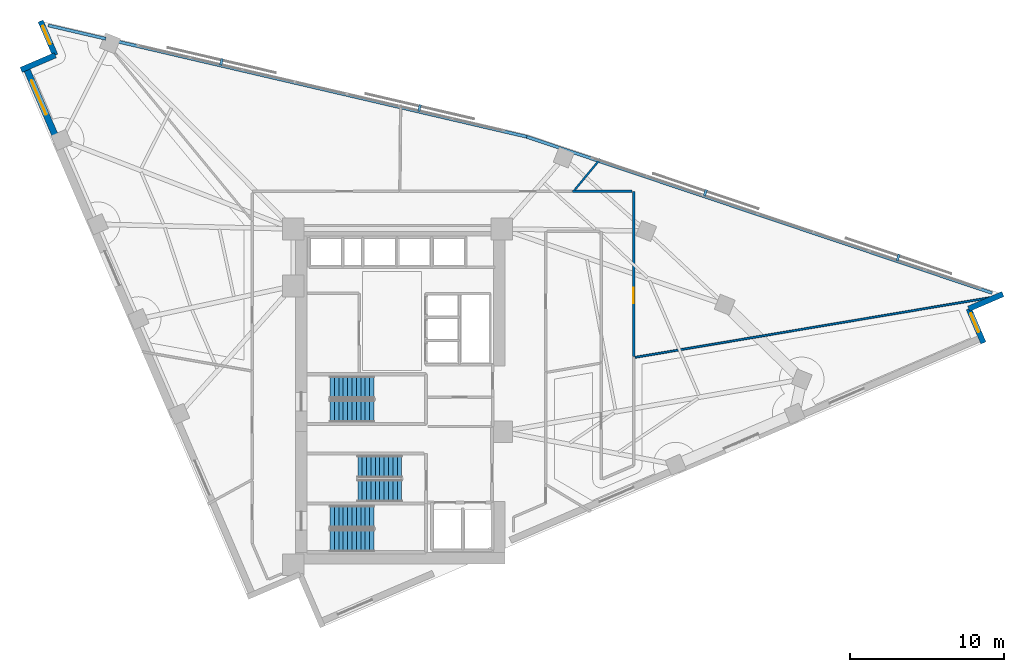
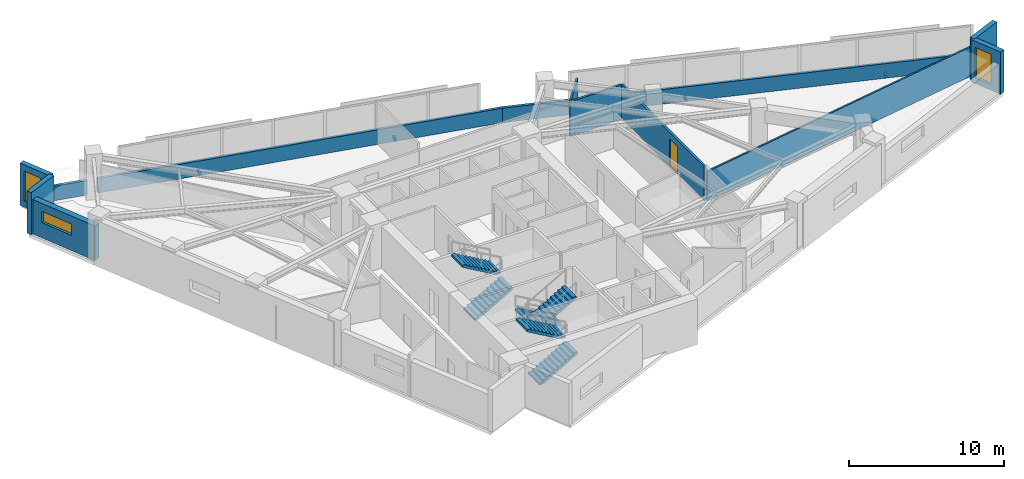
# One storey, part 12 of 14: 12 walls, 6 stair flights, 4 discrete accessories, 3 windows, 1 door, 4 openings, 3 elements without a shape of their own.
"""IFC4 building model written with IfcOpenShell, lengths in metres."""

from ifc_helpers import new_model, si_unit, direction, frame, frame_2d, origin, origin_2d, place, context, subcontext, project, spatial, polyline, rectangle, outline, extrude, material, layer, layer_set, type_object, element, fill, aggregate, save


model = new_model("IFC4")

# Units and contexts
model_context = context("Model", 3, precision=1e-05, world=origin(), true_north=direction((0.0, 1.0)))
body_context = subcontext(model_context, "Body", "Model", "MODEL_VIEW")
ifc_project = project(units=[si_unit("LENGTHUNIT", "METRE"), si_unit("AREAUNIT", "SQUARE_METRE"), si_unit("VOLUMEUNIT", "CUBIC_METRE"), si_unit("PLANEANGLEUNIT", "RADIAN"), si_unit("MASSUNIT", "GRAM", prefix="KILO")], contexts=[model_context])

# Site, building, storey
site_placement = place(None, origin())
site = spatial("IfcSite", under=ifc_project, at=site_placement, CompositionType="ELEMENT")
building_placement = place(site_placement, origin())
building = spatial("IfcBuilding", under=site, at=building_placement, Name="Narakoshi Arena Tower", CompositionType="ELEMENT")
storey_placement = place(building_placement, frame((0.0, 0.0, 168.300048828125)))
storey = spatial("IfcBuildingStorey", under=building, at=storey_placement, Name="L45", CompositionType="ELEMENT", Elevation=168.300048828125)

# Wall, opening, door
ifc_material_1 = material(Name="Gypsum plasterboard fire-rated partition")
ifc_layer_1 = layer(ifc_material_1, 0.1650390625)
ifc_layer_set_1 = layer_set([ifc_layer_1], Name="Gypsum plasterboard fire-rated partition")
wall_type_1 = type_object("IfcWallType", Name="WL-CORR-165", PredefinedType="PARTITIONING", material=ifc_layer_set_1)
wall_1_placement = place(storey_placement, frame((94.09619140625, 48.213134765625, 0.0), z_axis=(0.0, 0.0, 1.0), x_axis=(0.0, 1.0, 0.0)))
wall_1 = element("IfcWall", 1, at=wall_1_placement, inside=storey, type_object=wall_type_1, Name="L45 Corridor Partition 05-1", PredefinedType="PARTITIONING", context=body_context, shape_type="SweptSolid", body=[
    extrude(rectangle(XDim=10.723876953125, YDim=0.1650390625, at=frame_2d((5.36181640625, 0.0))), origin(), (0.0, 0.0, 1.0), 2.724853515625),
])
opening_1_placement = place(wall_1_placement, frame((3.46337890625, 0.0, 0.0)))
opening_1 = element("IfcOpeningElement", 2, at=opening_1_placement, cuts=wall_1, Name="Opening D-06", PredefinedType="OPENING", context=body_context, shape_type="SweptSolid", body=[
    extrude(rectangle(XDim=1.0, YDim=2.199951171875, at=frame_2d((0.5, 1.10009765625))), frame((0.0, 0.092529296875, 0.0), z_axis=(0.0, -1.0, 0.0), x_axis=(1.0, 0.0, 0.0)), (0.0, 0.0, 1.0), 0.18505859375),
])
ifc_material_2 = material(Name="Stained oak solid-core timber", Category="wood")
door_type = type_object("IfcDoorType", Name="DR-OFF-1000", OperationType="NOTDEFINED", PredefinedType="DOOR", material=ifc_material_2)
door_placement = place(opening_1_placement, frame((1.0, 0.0, 0.0), z_axis=(0.0, 0.0, 1.0), x_axis=(-1.0, 0.0, 0.0)))
door = element("IfcDoor", 3, at=door_placement, inside=storey, type_object=door_type, Name="DR-L45-017", OperationType="SINGLE_SWING_LEFT", OverallHeight=2.199951171875, OverallWidth=1.0, PredefinedType="DOOR", context=body_context, shape_type="SweptSolid", body=[
    extrude(rectangle(XDim=1.0, YDim=2.199951171875, at=frame_2d((0.5, 1.10009765625))), frame((0.0, 0.02490234375, 0.0), z_axis=(0.0, -1.0, 0.0), x_axis=(1.0, 0.0, 0.0)), (0.0, 0.0, 1.0), 0.050048828125),
])
fill(opening_1, door)

# Walls
wall_2_placement = place(storey_placement, frame((94.001708984375, 58.93701171875, 0.0), z_axis=(0.0, 0.0, 1.0), x_axis=(-1.0, 0.0, 0.0)))
element("IfcWall", 4, at=wall_2_placement, inside=storey, type_object=wall_type_1, Name="L45 Corridor Partition 05-2", PredefinedType="PARTITIONING", context=body_context, shape_type="SweptSolid", body=[
    extrude(rectangle(XDim=3.855224609375, YDim=0.1650390625, at=frame_2d((1.927734375, 0.0))), origin(), (0.0, 0.0, 1.0), 2.724853515625),
])
ifc_material_3 = material(Name="Precast concrete C45/55", Category="concrete")
ifc_layer_2 = layer(ifc_material_3, 0.25)
ifc_layer_set_2 = layer_set([ifc_layer_2], Name="Precast concrete C45/55")
wall_type_2 = type_object("IfcWallType", Name="WL-PARA-250", PredefinedType="PARAPET", material=ifc_layer_set_2)
wall_3_placement = place(storey_placement, frame((117.362548828125, 52.343505859375, 0.0), z_axis=(0.0, 0.0, 1.0), x_axis=(-0.94800468727, 0.31825636351, 0.0)))
element("IfcWall", 5, at=wall_3_placement, inside=storey, type_object=wall_type_2, Name="L45 Hypotenuse Sill Upstand Parapet 1-01", PredefinedType="PARAPET", context=body_context, shape_type="SweptSolid", body=[
    extrude(rectangle(XDim=31.869140625, YDim=0.199951171875, at=frame_2d((15.9345703125, 0.0))), origin(), (0.0, 0.0, 1.0), 1.14990234375),
])
wall_4_placement = place(storey_placement, frame((87.1650390625, 62.48193359375, 0.0), z_axis=(0.0, 0.0, 1.0), x_axis=(-0.973958631559, 0.226725790352, 0.0)))
element("IfcWall", 6, at=wall_4_placement, inside=storey, type_object=wall_type_2, Name="L45 Hypotenuse Sill Upstand Parapet 2-01", PredefinedType="PARAPET", context=body_context, shape_type="SweptSolid", body=[
    extrude(rectangle(XDim=27.375732421875, YDim=0.199951171875, at=frame_2d((13.68798828125, 0.0))), origin(), (0.0, 0.0, 1.0), 1.14990234375),
])
wall_5_placement = place(storey_placement, frame((59.8408203125, 68.842529296875, 0.0), z_axis=(0.0, 0.0, 1.0), x_axis=(-0.973951848941, 0.226754924851, 0.0)))
element("IfcWall", 7, at=wall_5_placement, inside=storey, type_object=wall_type_2, Name="L45 Hypotenuse Sill Upstand Parapet 2-02", PredefinedType="PARAPET", context=body_context, shape_type="SweptSolid", body=[
    extrude(rectangle(XDim=3.837158203125, YDim=0.199951171875, at=frame_2d((1.91845703125, 0.0))), origin(), (0.0, 0.0, 1.0), 1.14990234375),
])
ifc_layer_3 = layer(ifc_material_1, 0.125)
ifc_layer_set_3 = layer_set([ifc_layer_3], Name="Gypsum plasterboard fire-rated partition")
wall_type_3 = type_object("IfcWallType", Name="WL-PART-125", PredefinedType="PARTITIONING", material=ifc_layer_set_3)
wall_6_placement = place(storey_placement, frame((94.190673828125, 48.1689453125, 0.0), z_axis=(0.0, 0.0, 1.0), x_axis=(0.986145845782, 0.165880592136, 0.0)))
element("IfcWall", 8, at=wall_6_placement, inside=storey, type_object=wall_type_3, Name="L45 Inter-Room Partition 04-05", PredefinedType="PARTITIONING", context=body_context, shape_type="SweptSolid", body=[
    extrude(rectangle(XDim=23.859130859375, YDim=0.125, at=frame_2d((11.9296875, 0.0))), origin(), (0.0, 0.0, 1.0), 2.324951171875),
])
wall_7_placement = place(storey_placement, frame((90.27197265625, 59.031494140625, 0.0), z_axis=(0.0, 0.0, 1.0), x_axis=(0.637951471399, 0.770076567713, 0.0)))
element("IfcWall", 9, at=wall_7_placement, inside=storey, type_object=wall_type_3, Name="L45 Inter-Room Partition 05-07", PredefinedType="PARTITIONING", context=body_context, shape_type="SweptSolid", body=[
    extrude(rectangle(XDim=2.616455078125, YDim=0.125, at=frame_2d((1.30810546875, 0.0))), origin(), (0.0, 0.0, 1.0), 2.724853515625),
])

# Wall, opening, window
ifc_layer_4 = layer(ifc_material_3, 0.419921875)
ifc_layer_set_4 = layer_set([ifc_layer_4], Name="Precast concrete C45/55")
wall_type_4 = type_object("IfcWallType", Name="WL-POD-420", PredefinedType="SOLIDWALL", material=ifc_layer_set_4)
wall_8_placement = place(storey_placement, frame((54.6708984375, 66.958984375, 0.0), z_axis=(0.0, 0.0, 1.0), x_axis=(0.394733507229, -0.918795656428, 0.0)))
wall_8 = element("IfcWall", 10, at=wall_8_placement, inside=storey, type_object=wall_type_4, Name="L45 Architectural Concrete Facade Wall LEGB-1", PredefinedType="SOLIDWALL", context=body_context, shape_type="SweptSolid", body=[
    extrude(rectangle(XDim=5.210205078125, YDim=0.419921875, at=frame_2d((2.60498046875, 0.0))), origin(), (0.0, 0.0, 1.0), 2.724853515625),
])
opening_2_placement = place(wall_8_placement, frame((0.89990234375, 0.0, 1.199951171875)))
opening_2 = element("IfcOpeningElement", 11, at=opening_2_placement, cuts=wall_8, Name="Opening WN-01", PredefinedType="OPENING", context=body_context, shape_type="SweptSolid", body=[
    extrude(rectangle(XDim=2.39990234375, YDim=0.89990234375, at=frame_2d((1.199951171875, 0.449951171875))), frame((0.0, 0.219970703125, 0.0), z_axis=(0.0, -1.0, 0.0), x_axis=(1.0, 0.0, 0.0)), (0.0, 0.0, 1.0), 0.43994140625),
])
ifc_material_4 = material(Name="Bronze-tinted low-E laminated glass", Category="glass")
window_type_1 = type_object("IfcWindowType", Name="WIN-SLT-24x09", PartitioningType="SINGLE_PANEL", PredefinedType="WINDOW", material=ifc_material_4)
window_1_placement = place(opening_2_placement, origin())
window_1 = element("IfcWindow", 12, at=window_1_placement, inside=storey, type_object=window_type_1, Name="L45 LEGB1 Horizontal Slot Window 1", OverallHeight=0.89990234375, OverallWidth=2.39990234375, PartitioningType="SINGLE_PANEL", PredefinedType="WINDOW", context=body_context, shape_type="SweptSolid", body=[
    extrude(rectangle(XDim=2.39990234375, YDim=0.89990234375, at=frame_2d((1.199951171875, 0.449951171875))), frame((0.0, 0.030029296875, 0.0), z_axis=(0.0, -1.0, 0.0), x_axis=(1.0, 0.0, 0.0)), (0.0, 0.0, 1.0), 0.06005859375),
])
fill(opening_2, window_1)

wall_9_placement = place(storey_placement, frame((116.8017578125, 49.105712890625, 0.0), z_axis=(0.0, 0.0, 1.0), x_axis=(-0.394712707157, 0.918804592288, 0.0)))
wall_9 = element("IfcWall", 13, at=wall_9_placement, inside=storey, type_object=wall_type_4, Name="L45 Re-Entrant Corner Notch Wall NTE-1", PredefinedType="SOLIDWALL", context=body_context, shape_type="SweptSolid", body=[
    extrude(rectangle(XDim=2.41357421875, YDim=0.360107421875, at=frame_2d((1.206787109375, 0.0))), origin(), (0.0, 0.0, 1.0), 3.33984375),
])
opening_3_placement = place(wall_9_placement, frame((0.7734375, 0.0, 0.449951171875)))
opening_3 = element("IfcOpeningElement", 14, at=opening_3_placement, cuts=wall_9, Name="Opening WN-06", PredefinedType="OPENING", context=body_context, shape_type="SweptSolid", body=[
    extrude(rectangle(XDim=1.300048828125, YDim=2.39990234375, at=frame_2d((0.64990234375, 1.199951171875))), frame((0.0, 0.18994140625, 0.0), z_axis=(0.0, -1.0, 0.0), x_axis=(1.0, 0.0, 0.0)), (0.0, 0.0, 1.0), 0.380126953125),
])
window_type_2 = type_object("IfcWindowType", Name="WIN-NTC-16x24", PartitioningType="SINGLE_PANEL", PredefinedType="WINDOW", material=ifc_material_4)
window_2_placement = place(opening_3_placement, origin())
window_2 = element("IfcWindow", 15, at=window_2_placement, inside=storey, type_object=window_type_2, Name="L45 Corner Notch Window NTE", OverallHeight=2.39990234375, OverallWidth=1.300048828125, PartitioningType="SINGLE_PANEL", PredefinedType="WINDOW", context=body_context, shape_type="SweptSolid", body=[
    extrude(rectangle(XDim=1.300048828125, YDim=2.39990234375, at=frame_2d((0.64990234375, 1.199951171875))), frame((0.0, 0.030029296875, 0.0), z_axis=(0.0, -1.0, 0.0), x_axis=(1.0, 0.0, 0.0)), (0.0, 0.0, 1.0), 0.06005859375),
])
fill(opening_3, window_2)

# Wall
wall_10_placement = place(storey_placement, frame((115.84912109375, 51.3232421875, 0.0), z_axis=(0.0, 0.0, 1.0), x_axis=(0.918788830096, 0.394749396062, 0.0)))
element("IfcWall", 16, at=wall_10_placement, inside=storey, type_object=wall_type_4, Name="L45 Re-Entrant Corner Notch Wall NTE-2", PredefinedType="SOLIDWALL", context=body_context, shape_type="SweptSolid", body=[
    extrude(rectangle(XDim=2.413330078125, YDim=0.360107421875, at=frame_2d((1.20654296875, 0.0))), origin(), (0.0, 0.0, 1.0), 3.33984375),
])

# Wall, opening, window
wall_11_placement = place(storey_placement, frame((55.614013671875, 69.99072265625, 0.0), z_axis=(0.0, 0.0, 1.0), x_axis=(0.394663989422, -0.918825519592, 0.0)))
wall_11 = element("IfcWall", 17, at=wall_11_placement, inside=storey, type_object=wall_type_4, Name="L45 Re-Entrant Corner Notch Wall NTN-1", PredefinedType="SOLIDWALL", context=body_context, shape_type="SweptSolid", body=[
    extrude(rectangle(XDim=2.4130859375, YDim=0.360107421875, at=frame_2d((1.20654296875, 0.0))), origin(), (0.0, 0.0, 1.0), 3.33984375),
])
opening_4_placement = place(wall_11_placement, frame((0.340087890625, 0.0, 0.449951171875)))
opening_4 = element("IfcOpeningElement", 18, at=opening_4_placement, cuts=wall_11, Name="Opening WN-06", PredefinedType="OPENING", context=body_context, shape_type="SweptSolid", body=[
    extrude(rectangle(XDim=1.300048828125, YDim=2.39990234375, at=frame_2d((0.64990234375, 1.199951171875))), frame((0.0, 0.18994140625, 0.0), z_axis=(0.0, -1.0, 0.0), x_axis=(1.0, 0.0, 0.0)), (0.0, 0.0, 1.0), 0.380126953125),
])
window_3_placement = place(opening_4_placement, origin())
window_3 = element("IfcWindow", 19, at=window_3_placement, inside=storey, type_object=window_type_2, Name="L45 Corner Notch Window NTN", OverallHeight=2.39990234375, OverallWidth=1.300048828125, PartitioningType="SINGLE_PANEL", PredefinedType="WINDOW", context=body_context, shape_type="SweptSolid", body=[
    extrude(rectangle(XDim=1.300048828125, YDim=2.39990234375, at=frame_2d((0.64990234375, 1.199951171875))), frame((0.0, 0.030029296875, 0.0), z_axis=(0.0, -1.0, 0.0), x_axis=(1.0, 0.0, 0.0)), (0.0, 0.0, 1.0), 0.06005859375),
])
fill(opening_4, window_3)

# Wall
wall_12_placement = place(storey_placement, frame((56.56640625, 67.7734375, 0.0), z_axis=(0.0, 0.0, 1.0), x_axis=(-0.918788830096, -0.394749396062, 0.0)))
element("IfcWall", 20, at=wall_12_placement, inside=storey, type_object=wall_type_4, Name="L45 Re-Entrant Corner Notch Wall NTN-2", PredefinedType="SOLIDWALL", context=body_context, shape_type="SweptSolid", body=[
    extrude(rectangle(XDim=2.413330078125, YDim=0.360107421875, at=frame_2d((1.20654296875, 0.0))), origin(), (0.0, 0.0, 1.0), 3.33984375),
])

# Stair, stair flights
ifc_material_5 = material(Name="Concrete C45/55", Category="concrete")
stair_type = type_object("IfcStairType", Name="STR-CORE-360", PredefinedType="TWO_STRAIGHT_RUN_STAIR", material=ifc_material_5)
stair_1_placement = place(storey_placement, origin())
stair_1 = element("IfcStair", 21, at=stair_1_placement, inside=storey, type_object=stair_type, Name="L45 Core Escape Stair ST1", PredefinedType="TWO_STRAIGHT_RUN_STAIR")
stair_flight_type = type_object("IfcStairFlightType", Name="FLT-145-160", PredefinedType="STRAIGHT", material=ifc_material_3)
stair_flight_1_placement = place(storey_placement, frame((74.39990234375, 36.27490234375, 0.0), z_axis=(0.0, 0.0, 1.0), x_axis=(1.0, 0.0, 0.0)))
stair_flight_1 = element("IfcStairFlight", 22, at=stair_flight_1_placement, type_object=stair_flight_type, Name="ST1 flight 1", NumberOfRisers=11, NumberOfTreads=10, PredefinedType="STRAIGHT", RiserHeight=0.163636364, TreadLength=0.285, context=body_context, shape_type="SweptSolid", body=[
    extrude(outline(polyline([(0.0, 0.0), (0.0, 0.16357421875), (0.284912109375, 0.16357421875), (0.284912109375, 0.327392578125), (0.570068359375, 0.327392578125), (0.570068359375, 0.490966796875), (0.85498046875, 0.490966796875), (0.85498046875, 0.654541015625), (1.139892578125, 0.654541015625), (1.139892578125, 0.818115234375), (1.425048828125, 0.818115234375), (1.425048828125, 0.98193359375), (1.7099609375, 0.98193359375), (1.7099609375, 1.1455078125), (1.9951171875, 1.1455078125), (1.9951171875, 1.30908203125), (2.280029296875, 1.30908203125), (2.280029296875, 1.47265625), (2.56494140625, 1.47265625), (2.56494140625, 1.636474609375), (2.85009765625, 1.636474609375), (2.85009765625, 1.800048828125), (2.85009765625, 1.463623046875), (0.301025390625, 0.0), (0.0, 0.0)])), frame((0.0, 0.72509765625, 0.0), z_axis=(0.0, -1.0, 0.0), x_axis=(1.0, 0.0, 0.0)), (0.0, 0.0, 1.0), 1.449951171875),
])
stair_flight_2_placement = place(storey_placement, frame((77.25, 37.824951171875, 1.800048828125), z_axis=(0.0, 0.0, 1.0), x_axis=(-1.0, 0.0, 0.0)))
stair_flight_2 = element("IfcStairFlight", 23, at=stair_flight_2_placement, type_object=stair_flight_type, Name="ST1 flight 2", NumberOfRisers=11, NumberOfTreads=10, PredefinedType="STRAIGHT", RiserHeight=0.163636364, TreadLength=0.285, context=body_context, shape_type="SweptSolid", body=[
    extrude(outline(polyline([(0.0, 0.0), (0.0, 0.16357421875), (0.284912109375, 0.16357421875), (0.284912109375, 0.327392578125), (0.570068359375, 0.327392578125), (0.570068359375, 0.490966796875), (0.85498046875, 0.490966796875), (0.85498046875, 0.654541015625), (1.139892578125, 0.654541015625), (1.139892578125, 0.818115234375), (1.425048828125, 0.818115234375), (1.425048828125, 0.98193359375), (1.7099609375, 0.98193359375), (1.7099609375, 1.1455078125), (1.9951171875, 1.1455078125), (1.9951171875, 1.30908203125), (2.280029296875, 1.30908203125), (2.280029296875, 1.47265625), (2.56494140625, 1.47265625), (2.56494140625, 1.636474609375), (2.85009765625, 1.636474609375), (2.85009765625, 1.800048828125), (2.85009765625, 1.463623046875), (0.301025390625, 0.0), (0.0, 0.0)])), frame((0.0, 0.72509765625, 0.0), z_axis=(0.0, -1.0, 0.0), x_axis=(1.0, 0.0, 0.0)), (0.0, 0.0, 1.0), 1.449951171875),
])
aggregate(stair_1, [stair_flight_1, stair_flight_2])

stair_2_placement = place(storey_placement, origin())
stair_2 = element("IfcStair", 24, at=stair_2_placement, inside=storey, type_object=stair_type, Name="L45 Core Escape Stair ST2", PredefinedType="TWO_STRAIGHT_RUN_STAIR")
stair_flight_3_placement = place(storey_placement, frame((79.050048828125, 41.074951171875, 0.0), z_axis=(0.0, 0.0, 1.0), x_axis=(-1.0, 0.0, 0.0)))
stair_flight_3 = element("IfcStairFlight", 25, at=stair_flight_3_placement, type_object=stair_flight_type, Name="ST2 flight 1", NumberOfRisers=11, NumberOfTreads=10, PredefinedType="STRAIGHT", RiserHeight=0.163636364, TreadLength=0.285, context=body_context, shape_type="SweptSolid", body=[
    extrude(outline(polyline([(0.0, 0.0), (0.0, 0.16357421875), (0.284912109375, 0.16357421875), (0.284912109375, 0.327392578125), (0.570068359375, 0.327392578125), (0.570068359375, 0.490966796875), (0.85498046875, 0.490966796875), (0.85498046875, 0.654541015625), (1.139892578125, 0.654541015625), (1.139892578125, 0.818115234375), (1.425048828125, 0.818115234375), (1.425048828125, 0.98193359375), (1.7099609375, 0.98193359375), (1.7099609375, 1.1455078125), (1.9951171875, 1.1455078125), (1.9951171875, 1.30908203125), (2.280029296875, 1.30908203125), (2.280029296875, 1.47265625), (2.56494140625, 1.47265625), (2.56494140625, 1.636474609375), (2.85009765625, 1.636474609375), (2.85009765625, 1.800048828125), (2.85009765625, 1.463623046875), (0.301025390625, 0.0), (0.0, 0.0)])), frame((0.0, 0.72509765625, 0.0), z_axis=(0.0, -1.0, 0.0), x_axis=(1.0, 0.0, 0.0)), (0.0, 0.0, 1.0), 1.449951171875),
])
stair_flight_4_placement = place(storey_placement, frame((76.199951171875, 39.52490234375, 1.800048828125), z_axis=(0.0, 0.0, 1.0), x_axis=(1.0, 0.0, 0.0)))
stair_flight_4 = element("IfcStairFlight", 26, at=stair_flight_4_placement, type_object=stair_flight_type, Name="ST2 flight 2", NumberOfRisers=11, NumberOfTreads=10, PredefinedType="STRAIGHT", RiserHeight=0.163636364, TreadLength=0.285, context=body_context, shape_type="SweptSolid", body=[
    extrude(outline(polyline([(0.0, 0.0), (0.0, 0.16357421875), (0.284912109375, 0.16357421875), (0.284912109375, 0.327392578125), (0.570068359375, 0.327392578125), (0.570068359375, 0.490966796875), (0.85498046875, 0.490966796875), (0.85498046875, 0.654541015625), (1.139892578125, 0.654541015625), (1.139892578125, 0.818115234375), (1.425048828125, 0.818115234375), (1.425048828125, 0.98193359375), (1.7099609375, 0.98193359375), (1.7099609375, 1.1455078125), (1.9951171875, 1.1455078125), (1.9951171875, 1.30908203125), (2.280029296875, 1.30908203125), (2.280029296875, 1.47265625), (2.56494140625, 1.47265625), (2.56494140625, 1.636474609375), (2.85009765625, 1.636474609375), (2.85009765625, 1.800048828125), (2.85009765625, 1.463623046875), (0.301025390625, 0.0), (0.0, 0.0)])), frame((0.0, 0.72509765625, 0.0), z_axis=(0.0, -1.0, 0.0), x_axis=(1.0, 0.0, 0.0)), (0.0, 0.0, 1.0), 1.449951171875),
])
aggregate(stair_2, [stair_flight_3, stair_flight_4])

stair_3_placement = place(storey_placement, origin())
stair_3 = element("IfcStair", 27, at=stair_3_placement, inside=storey, type_object=stair_type, Name="L45 Core Escape Stair ST3", PredefinedType="TWO_STRAIGHT_RUN_STAIR")
stair_flight_5_placement = place(storey_placement, frame((74.39990234375, 44.675048828125, 0.0), z_axis=(0.0, 0.0, 1.0), x_axis=(1.0, 0.0, 0.0)))
stair_flight_5 = element("IfcStairFlight", 28, at=stair_flight_5_placement, type_object=stair_flight_type, Name="ST3 flight 1", NumberOfRisers=11, NumberOfTreads=10, PredefinedType="STRAIGHT", RiserHeight=0.163636364, TreadLength=0.285, context=body_context, shape_type="SweptSolid", body=[
    extrude(outline(polyline([(0.0, 0.0), (0.0, 0.16357421875), (0.284912109375, 0.16357421875), (0.284912109375, 0.327392578125), (0.570068359375, 0.327392578125), (0.570068359375, 0.490966796875), (0.85498046875, 0.490966796875), (0.85498046875, 0.654541015625), (1.139892578125, 0.654541015625), (1.139892578125, 0.818115234375), (1.425048828125, 0.818115234375), (1.425048828125, 0.98193359375), (1.7099609375, 0.98193359375), (1.7099609375, 1.1455078125), (1.9951171875, 1.1455078125), (1.9951171875, 1.30908203125), (2.280029296875, 1.30908203125), (2.280029296875, 1.47265625), (2.56494140625, 1.47265625), (2.56494140625, 1.636474609375), (2.85009765625, 1.636474609375), (2.85009765625, 1.800048828125), (2.85009765625, 1.463623046875), (0.301025390625, 0.0), (0.0, 0.0)])), frame((0.0, 0.72509765625, 0.0), z_axis=(0.0, -1.0, 0.0), x_axis=(1.0, 0.0, 0.0)), (0.0, 0.0, 1.0), 1.449951171875),
])
stair_flight_6_placement = place(storey_placement, frame((77.25, 46.22509765625, 1.800048828125), z_axis=(0.0, 0.0, 1.0), x_axis=(-1.0, 0.0, 0.0)))
stair_flight_6 = element("IfcStairFlight", 29, at=stair_flight_6_placement, type_object=stair_flight_type, Name="ST3 flight 2", NumberOfRisers=11, NumberOfTreads=10, PredefinedType="STRAIGHT", RiserHeight=0.163636364, TreadLength=0.285, context=body_context, shape_type="SweptSolid", body=[
    extrude(outline(polyline([(0.0, 0.0), (0.0, 0.16357421875), (0.284912109375, 0.16357421875), (0.284912109375, 0.327392578125), (0.570068359375, 0.327392578125), (0.570068359375, 0.490966796875), (0.85498046875, 0.490966796875), (0.85498046875, 0.654541015625), (1.139892578125, 0.654541015625), (1.139892578125, 0.818115234375), (1.425048828125, 0.818115234375), (1.425048828125, 0.98193359375), (1.7099609375, 0.98193359375), (1.7099609375, 1.1455078125), (1.9951171875, 1.1455078125), (1.9951171875, 1.30908203125), (2.280029296875, 1.30908203125), (2.280029296875, 1.47265625), (2.56494140625, 1.47265625), (2.56494140625, 1.636474609375), (2.85009765625, 1.636474609375), (2.85009765625, 1.800048828125), (2.85009765625, 1.463623046875), (0.301025390625, 0.0), (0.0, 0.0)])), frame((0.0, 0.72509765625, 0.0), z_axis=(0.0, -1.0, 0.0), x_axis=(1.0, 0.0, 0.0)), (0.0, 0.0, 1.0), 1.449951171875),
])
aggregate(stair_3, [stair_flight_5, stair_flight_6])

# Discrete accessories
ifc_material_6 = material(Name="Structural steel S355J2", Category="steel")
discrete_accessory_type = type_object("IfcDiscreteAccessoryType", Name="ACC-BRK-SCR", PredefinedType="BRACKET", material=ifc_material_6)
for number, where, z_axis, x_axis, name in (
    (30, (111.266357421875, 54.64306640625, -0.080078125), (0.0, 0.0, 1.0), (-0.948001964735, 0.318264473134, 0.0), "L45 Solar Screen Support Bracket SHD-L45-SCR1-1"),
    (31, (98.752685546875, 58.84423828125, -0.080078125), (0.0, 0.0, 1.0), (-0.948001964735, 0.318264473134, 0.0), "L45 Solar Screen Support Bracket SHD-L45-SCR1-2"),
    (32, (80.206787109375, 64.34814453125, -0.080078125), (0.0, 0.0, 1.0), (-0.973960141659, 0.226719303234, 0.0), "L45 Solar Screen Support Bracket SHD-L45-SCR2-1"),
    (33, (67.3505859375, 67.3408203125, -0.080078125), (0.0, 0.0, 1.0), (-0.973960141659, 0.226719303234, 0.0), "L45 Solar Screen Support Bracket SHD-L45-SCR2-2"),
):
    element("IfcDiscreteAccessory", number, at=place(storey_placement, frame(where, z_axis=z_axis, x_axis=x_axis)), inside=storey, type_object=discrete_accessory_type, Name=name, PredefinedType="BRACKET", context=body_context, shape_type="SweptSolid", body=[
        extrude(rectangle(XDim=0.159912109375, YDim=0.43994140625, at=origin_2d()), origin(), (0.0, 0.0, 1.0), 0.199951171875),
    ])

save(model, "model.ifc")
